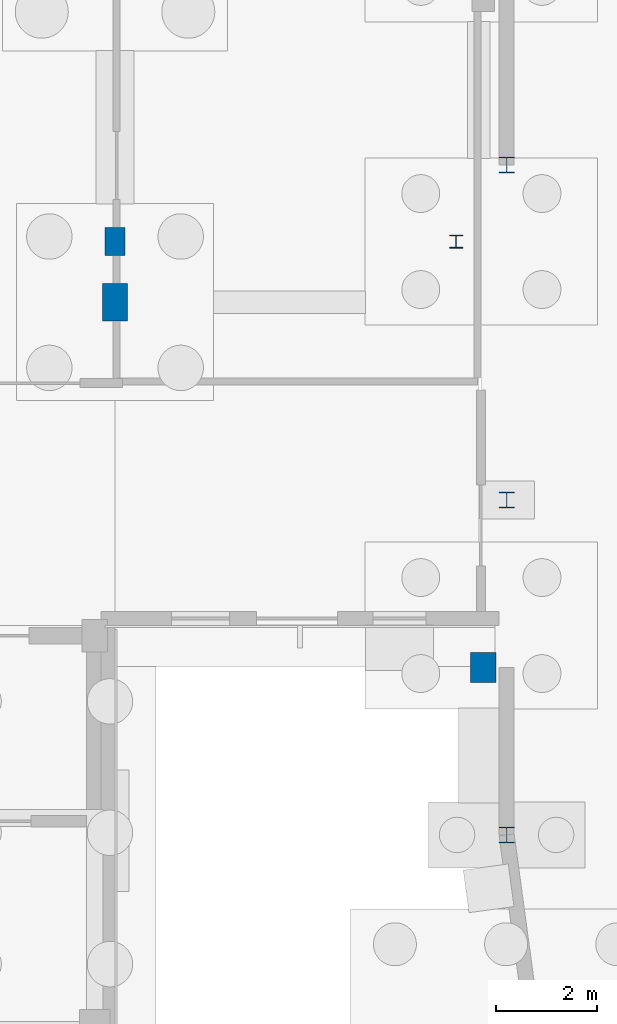
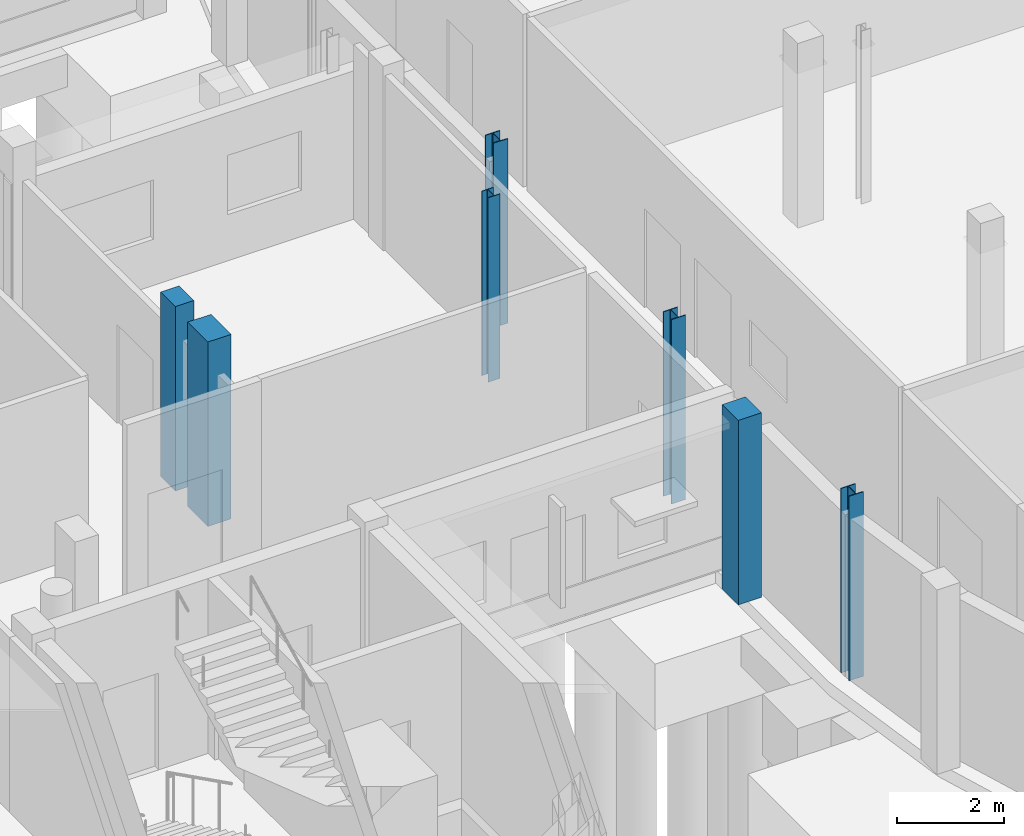
# One storey, part 17 of 93: 7 columns.
"""IFC4 building model written with IfcOpenShell, lengths in metres."""

from ifc_helpers import new_model, si_unit, direction, frame, origin, origin_2d, place, context, subcontext, project, spatial, rectangle, i_section, extrude, material, material_profile, profile_set, type_object, element, save


model = new_model("IFC4")

# Units and contexts
model_context = context("Model", 3, precision=1e-05, world=origin(), true_north=direction((0.0, 1.0)))
body_context = subcontext(model_context, "Body", "Model", "MODEL_VIEW")
ifc_project = project(units=[si_unit("LENGTHUNIT", "METRE"), si_unit("AREAUNIT", "SQUARE_METRE"), si_unit("VOLUMEUNIT", "CUBIC_METRE"), si_unit("PLANEANGLEUNIT", "RADIAN"), si_unit("MASSUNIT", "GRAM", prefix="KILO")], contexts=[model_context])

# Site, building, storey
site_placement = place(None, origin())
site = spatial("IfcSite", under=ifc_project, at=site_placement, CompositionType="ELEMENT")
building_placement = place(site_placement, origin())
building = spatial("IfcBuilding", under=site, at=building_placement, Name="Kelanivale Promenade Academy", CompositionType="ELEMENT")
storey_placement = place(building_placement, origin())
storey = spatial("IfcBuildingStorey", under=building, at=storey_placement, Name="L00", CompositionType="ELEMENT", Elevation=0.0)

# Columns
ifc_material_1 = material(Name="Concrete C40/50", Category="concrete")
ifc_material_profile_1 = material_profile(ifc_material_1, rectangle(XDim=0.39990234375, YDim=0.550048828125, at=origin_2d()), Name="RC-COL 400x550")
ifc_profile_set_1 = profile_set([ifc_material_profile_1], Name="Concrete C40/50")
column_type_1 = type_object("IfcColumnType", Name="C-07 RC-COL 400x550", PredefinedType="COLUMN", material=ifc_profile_set_1)
column_1_placement = place(storey_placement, frame((115.60009765625, 58.0, 0.0), z_axis=(0.0, 0.0, 1.0), x_axis=(1.0, 0.0, 0.0)))
element("IfcColumn", 1, at=column_1_placement, inside=storey, type_object=column_type_1, Name="Column C-07 at (115.6, 58.0) L00", PredefinedType="COLUMN", context=body_context, shape_type="SweptSolid", body=[
    extrude(rectangle(XDim=0.39990234375, YDim=0.550048828125, at=origin_2d()), origin(), (0.0, 0.0, 1.0), 4.199951171875),
])
ifc_material_profile_2 = material_profile(ifc_material_1, rectangle(XDim=0.5, YDim=0.75, at=origin_2d()), Name="RC-COL 500x750")
ifc_profile_set_2 = profile_set([ifc_material_profile_2], Name="Concrete C40/50")
column_type_2 = type_object("IfcColumnType", Name="C-12 RC-COL 500x750", PredefinedType="COLUMN", material=ifc_profile_set_2)
column_2_placement = place(storey_placement, frame((115.60009765625, 56.800048828125, 0.0), z_axis=(0.0, 0.0, 1.0), x_axis=(1.0, 0.0, 0.0)))
element("IfcColumn", 2, at=column_2_placement, inside=storey, type_object=column_type_2, Name="Column C-12 at (115.6, 56.8) L00", PredefinedType="COLUMN", context=body_context, shape_type="SweptSolid", body=[
    extrude(rectangle(XDim=0.5, YDim=0.75, at=origin_2d()), origin(), (0.0, 0.0, 1.0), 4.199951171875),
])
ifc_material_profile_3 = material_profile(ifc_material_1, rectangle(XDim=0.5, YDim=0.60009765625, at=origin_2d()), Name="RC-PIL 500x600")
ifc_profile_set_3 = profile_set([ifc_material_profile_3], Name="Concrete C40/50")
column_type_3 = type_object("IfcColumnType", Name="PL-18 RC-PIL 500x600", PredefinedType="PILASTER", material=ifc_profile_set_3)
column_3_placement = place(storey_placement, frame((122.889892578125, 49.571044921875, 0.0), z_axis=(0.0, 0.0, 1.0), x_axis=(1.0, 0.0, 0.0)))
element("IfcColumn", 3, at=column_3_placement, inside=storey, type_object=column_type_3, Name="Column PL-18 at (122.9, 49.6) L00", PredefinedType="PILASTER", context=body_context, shape_type="SweptSolid", body=[
    extrude(rectangle(XDim=0.5, YDim=0.60009765625, at=origin_2d()), origin(), (0.0, 0.0, 1.0), 4.199951171875),
])
ifc_material_2 = material(Name="Steel S355", Category="steel")
ifc_material_profile_4 = material_profile(ifc_material_2, i_section(OverallWidth=0.254638671875, OverallDepth=0.254150390625, WebThickness=0.008544921875, FlangeThickness=0.01416015625, FilletRadius=0.0126953125, at=origin_2d()), Name="UC 254x254x73")
ifc_profile_set_4 = profile_set([ifc_material_profile_4], Name="Steel S355")
column_type_4 = type_object("IfcColumnType", Name="SC-02 UC 254x254x73", PredefinedType="COLUMN", material=ifc_profile_set_4)
column_4_placement = place(storey_placement, frame((122.35009765625, 58.0, 0.0), z_axis=(0.0, 0.0, 1.0), x_axis=(1.0, 0.0, 0.0)))
element("IfcColumn", 4, at=column_4_placement, inside=storey, type_object=column_type_4, Name="Column SC-02 at (122.3, 58.0) L00", PredefinedType="COLUMN", context=body_context, shape_type="SweptSolid", body=[
    extrude(i_section(OverallWidth=0.254638671875, OverallDepth=0.254150390625, WebThickness=0.008544921875, FlangeThickness=0.01416015625, FilletRadius=0.0126953125, at=origin_2d()), origin(), (0.0, 0.0, 1.0), 4.199951171875),
])
ifc_material_profile_5 = material_profile(ifc_material_2, i_section(OverallWidth=0.307373046875, OverallDepth=0.314453125, WebThickness=0.011962890625, FlangeThickness=0.018798828125, FilletRadius=0.01513671875, at=origin_2d()), Name="UC 305x305x118")
ifc_profile_set_5 = profile_set([ifc_material_profile_5], Name="Steel S355")
column_type_5 = type_object("IfcColumnType", Name="SC-04 UC 305x305x118", PredefinedType="COLUMN", material=ifc_profile_set_5)
for number, where, z_axis, x_axis, name in (
    (5, (123.35009765625, 46.257080078125, 0.0), (0.0, 0.0, 1.0), (1.0, 0.0, 0.0), "Column SC-04 at (123.3, 46.3) L00"),
    (6, (123.35009765625, 52.885986328125, 0.0), (0.0, 0.0, 1.0), (1.0, 0.0, 0.0), "Column SC-04 at (123.3, 52.9) L00"),
    (7, (123.35009765625, 59.513916015625, 0.0), (0.0, 0.0, 1.0), (1.0, 0.0, 0.0), "Column SC-04 at (123.3, 59.5) L00"),
):
    element("IfcColumn", number, at=place(storey_placement, frame(where, z_axis=z_axis, x_axis=x_axis)), inside=storey, type_object=column_type_5, Name=name, PredefinedType="COLUMN", context=body_context, shape_type="SweptSolid", body=[
        extrude(i_section(OverallWidth=0.307373046875, OverallDepth=0.314453125, WebThickness=0.011962890625, FlangeThickness=0.018798828125, FilletRadius=0.01513671875, at=origin_2d()), origin(), (0.0, 0.0, 1.0), 4.199951171875),
    ])

save(model, "model.ifc")
